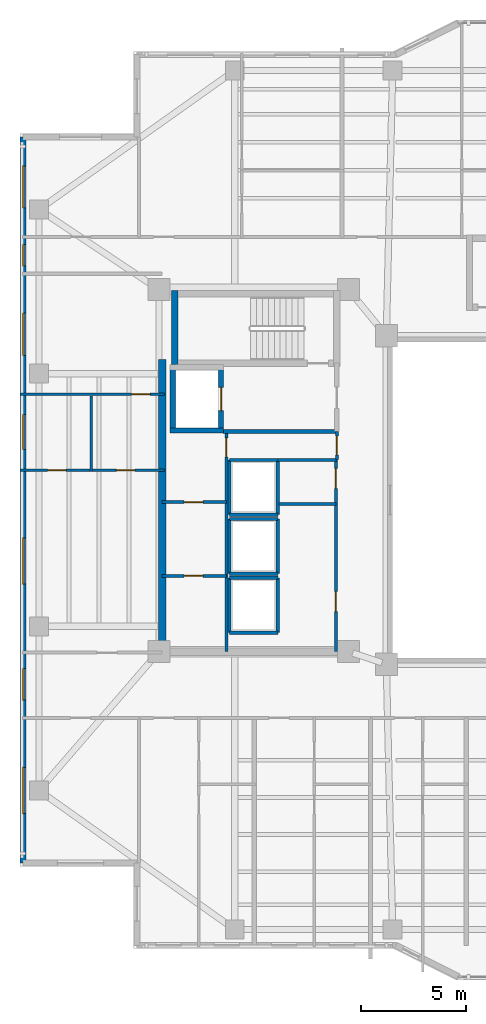
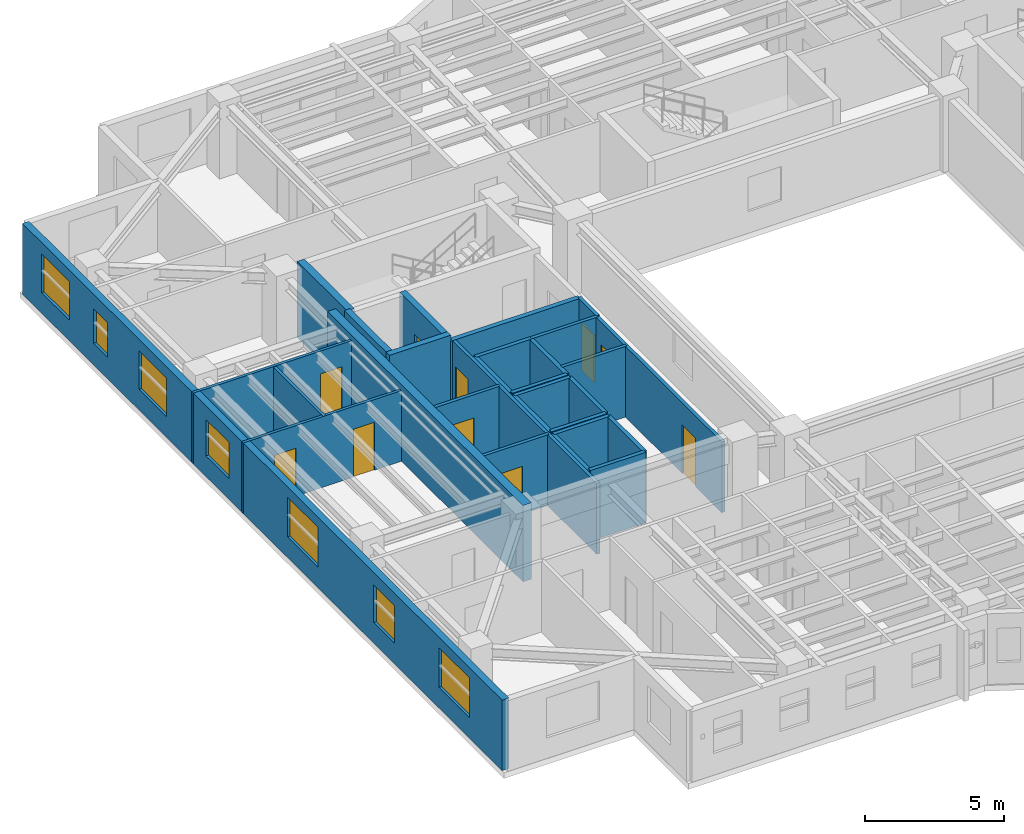
# One storey, part 7 of 16: 29 walls, 10 doors, 7 windows, 17 openings.
"""IFC4 building model written with IfcOpenShell, lengths in metres."""

import ifcopenshell
import ifcopenshell.guid

model = None  # the IFC model being written
_history = None  # IfcOwnerHistory: only IFC2X3 demands one
_inside = {}  # id of a spatial element -> (the spatial element, [elements in it])
_under = {}  # id of a project, library or spatial element -> (it, [spatial elements below it])
_declared = {}  # id of a project -> (the project, [libraries it declares])
_typed = {}  # id of a type object -> (the type object, [elements of that type])
_made_of = {}  # id of a material, layer set ... -> (it, [elements and type objects made of it])


def new_model(schema):
    """Start an empty IFC model of exactly this schema.

    Asked for "IFC4X3", IfcOpenShell would pick the latest addendum, in which some entities
    have other attributes; the version numbers below select the first issue.
    IFC2X3 requires an IfcOwnerHistory on every rooted entity: one is made here for all.
    """
    global model, _history
    if schema == "IFC4X3":
        model = ifcopenshell.file(schema_version=(4, 3, 0, 0))
    else:
        model = ifcopenshell.file(schema=schema)
    _inside.clear()
    _under.clear()
    _declared.clear()
    _typed.clear()
    _made_of.clear()
    _history = None
    if model.schema == "IFC2X3":
        org = make("IfcOrganization", Name="unknown")
        user = make(
            "IfcPersonAndOrganization",
            ThePerson=make("IfcPerson", FamilyName="unknown"),
            TheOrganization=org,
        )
        app = make(
            "IfcApplication",
            ApplicationDeveloper=org,
            Version="unknown",
            ApplicationFullName="unknown",
            ApplicationIdentifier="unknown",
        )
        _history = make(
            "IfcOwnerHistory",
            OwningUser=user,
            OwningApplication=app,
            ChangeAction="ADDED",
            CreationDate=0,
        )
    return model


def make(cls, **values):
    """One entity of the class cls with the attributes given. An attribute that is None is left unset."""
    return model.create_entity(
        cls, **{name: value for name, value in values.items() if value is not None}
    )


def rooted(cls, **values):
    """An entity with a GlobalId (a new one), such as an element, a storey or a relation."""
    return make(cls, GlobalId=ifcopenshell.guid.new(), OwnerHistory=_history, **values)


def si_unit(unit_type, name, prefix=None):
    """IfcSIUnit, for example si_unit("LENGTHUNIT", "METRE", prefix="MILLI")."""
    return make("IfcSIUnit", UnitType=unit_type, Prefix=prefix, Name=name)


def assignment(units):
    """IfcUnitAssignment: the units of a project."""
    return None if units is None else make("IfcUnitAssignment", Units=units)


def point(xyz):
    """IfcCartesianPoint."""
    return None if xyz is None else make("IfcCartesianPoint", Coordinates=xyz)


def direction(xyz):
    """IfcDirection."""
    return None if xyz is None else make("IfcDirection", DirectionRatios=xyz)


def frame(location, z_axis=None, x_axis=None):
    """IfcAxis2Placement3D, a coordinate frame: its origin and axes. An axis left out is left unset."""
    return make(
        "IfcAxis2Placement3D",
        Location=point(location),
        Axis=direction(z_axis),
        RefDirection=direction(x_axis),
    )


def frame_2d(location, x_axis=None):
    """IfcAxis2Placement2D, a coordinate frame in the plane: its origin and x axis."""
    return make(
        "IfcAxis2Placement2D", Location=point(location), RefDirection=direction(x_axis)
    )


def origin():
    """The frame at (0, 0, 0) with its axes left unset."""
    return frame((0.0, 0.0, 0.0))


def place(relative_to, where):
    """IfcLocalPlacement: puts the frame where relative to a parent placement (None: the world)."""
    return make(
        "IfcLocalPlacement", PlacementRelTo=relative_to, RelativePlacement=where
    )


def context(
    kind, dimensions, precision=None, world=None, true_north=None, identifier=None
):
    """IfcGeometricRepresentationContext, for example the 3D "Model" context."""
    return make(
        "IfcGeometricRepresentationContext",
        ContextIdentifier=identifier,
        ContextType=kind,
        CoordinateSpaceDimension=dimensions,
        Precision=precision,
        WorldCoordinateSystem=world,
        TrueNorth=true_north,
    )


def subcontext(parent, identifier, kind, view, scale=None):
    """IfcGeometricRepresentationSubContext, for example "Body" below "Model"."""
    return make(
        "IfcGeometricRepresentationSubContext",
        ContextIdentifier=identifier,
        ContextType=kind,
        ParentContext=parent,
        TargetScale=scale,
        TargetView=view,
    )


def project(units=None, contexts=None):
    """IfcProject with its units and contexts."""
    return rooted(
        "IfcProject",
        Name="project",
        RepresentationContexts=contexts,
        UnitsInContext=assignment(units),
    )


def spatial(cls, under=None, at=None, **own):
    """A site, building, storey or space (cls), placed at a placement, below another one or the project."""
    s = rooted(cls, ObjectPlacement=at, **own)
    if under is not None:
        _under.setdefault(under.id(), (under, []))[1].append(s)
    return s


def profile(cls, at=None, kind="AREA", **sizes):
    """A parametric profile (cls). Its sizes go by their IFC names, for example OverallWidth=200.0."""
    return make(cls, ProfileType=kind, Position=at, **sizes)


def rectangle(**sizes):
    """IfcRectangleProfileDef."""
    return profile("IfcRectangleProfileDef", **sizes)


def extrude(swept, where, along, depth):
    """IfcExtrudedAreaSolid: the profile swept, set in the frame where, extruded along a direction by depth."""
    return make(
        "IfcExtrudedAreaSolid",
        SweptArea=swept,
        Position=where,
        ExtrudedDirection=direction(along),
        Depth=depth,
    )


def shape(context_of_items, identifier, shape_type, items):
    """IfcShapeRepresentation: the items that make up one representation, for example the "Body"."""
    return make(
        "IfcShapeRepresentation",
        ContextOfItems=context_of_items,
        RepresentationIdentifier=identifier,
        RepresentationType=shape_type,
        Items=items,
    )


def material(Name=None, Category=None):
    """IfcMaterial."""
    return make("IfcMaterial", Name=Name, Category=Category)


def layer(
    of_material, thickness, ventilated=None, Name=None, Category=None, Priority=None
):
    """IfcMaterialLayer: one layer of a wall or slab, of a material (None: an air gap)."""
    return make(
        "IfcMaterialLayer",
        Material=of_material,
        LayerThickness=thickness,
        IsVentilated=ventilated,
        Name=Name,
        Category=Category,
        Priority=Priority,
    )


def layer_set(layers, Name=None):
    """IfcMaterialLayerSet."""
    return make("IfcMaterialLayerSet", MaterialLayers=layers, LayerSetName=Name)


def made_of(thing, what):
    """Note that an element or type object is made of a material, layer set ...; save() writes the relation."""
    if what is not None:
        _made_of.setdefault(what.id(), (what, []))[1].append(thing)
    return thing


def type_object(cls, material=None, **own):
    """A type object (cls), such as IfcWallType, which elements share."""
    return made_of(rooted(cls, **own), material)


def element(
    cls,
    number,
    at=None,
    inside=None,
    cuts=None,
    type_object=None,
    material=None,
    context=None,
    identifier="Body",
    shape_type=None,
    held_by="IfcProductDefinitionShape",
    body=None,
    shapes=None,
    **own,
):
    """One element of the class cls, such as IfcWall. Its Tag is "e" and its number.

    at: its placement. inside: the storey or other place that contains it. cuts: it is an
    opening in that element (IfcRelVoidsElement). A single representation is given by context,
    identifier, shape_type and body (its items); several are given by shapes. held_by: the class
    of the entity that holds the representations. save() writes the other relations.
    """
    e = rooted(cls, Tag="e%d" % number, ObjectPlacement=at, **own)
    if body is not None:
        shapes = [shape(context, identifier, shape_type, body)]
    if shapes is not None:
        e.Representation = make(held_by, Representations=shapes)
    if inside is not None:
        _inside.setdefault(inside.id(), (inside, []))[1].append(e)
    if cuts is not None:
        rooted(
            "IfcRelVoidsElement", RelatingBuildingElement=cuts, RelatedOpeningElement=e
        )
    if type_object is not None:
        _typed.setdefault(type_object.id(), (type_object, []))[1].append(e)
    return made_of(e, material)


def fill(opening, filler):
    """IfcRelFillsElement: the door or window that sits in an opening."""
    return rooted(
        "IfcRelFillsElement",
        RelatingOpeningElement=opening,
        RelatedBuildingElement=filler,
    )


def aggregate(whole, parts):
    """IfcRelAggregates: a whole, such as a stair, and the parts it consists of."""
    return rooted("IfcRelAggregates", RelatingObject=whole, RelatedObjects=parts)


def save(model, path):
    """Write the relations noted so far, then the file.

    IfcRelAggregates (storeys below a building ...), IfcRelContainedInSpatialStructure (elements
    in a storey), IfcRelDefinesByType, IfcRelAssociatesMaterial and IfcRelDeclares: one each for
    every whole, place, type object, material and project.
    """
    for whole, parts in _under.values():
        aggregate(whole, parts)
    for where, things in _inside.values():
        rooted(
            "IfcRelContainedInSpatialStructure",
            RelatedElements=things,
            RelatingStructure=where,
        )
    for kind, things in _typed.values():
        rooted("IfcRelDefinesByType", RelatedObjects=things, RelatingType=kind)
    for what, things in _made_of.values():
        rooted("IfcRelAssociatesMaterial", RelatedObjects=things, RelatingMaterial=what)
    for by, libraries in _declared.values():
        rooted("IfcRelDeclares", RelatingContext=by, RelatedDefinitions=libraries)
    model.write(path)


model = new_model("IFC4")

# Units and contexts
model_context = context("Model", 3, precision=1e-05, world=origin(), true_north=direction((0.0, 1.0)))
body_context = subcontext(model_context, "Body", "Model", "MODEL_VIEW")
ifc_project = project(units=[si_unit("LENGTHUNIT", "METRE"), si_unit("AREAUNIT", "SQUARE_METRE"), si_unit("VOLUMEUNIT", "CUBIC_METRE"), si_unit("PLANEANGLEUNIT", "RADIAN"), si_unit("MASSUNIT", "GRAM", prefix="KILO")], contexts=[model_context])

# Site, building, storey
site_placement = place(None, origin())
site = spatial("IfcSite", under=ifc_project, at=site_placement, CompositionType="ELEMENT")
building_placement = place(site_placement, origin())
building = spatial("IfcBuilding", under=site, at=building_placement, Name="Tarnavaz Court Tower", CompositionType="ELEMENT")
storey_placement = place(building_placement, frame((0.0, 0.0, 135.949951171875)))
storey = spatial("IfcBuildingStorey", under=building, at=storey_placement, Name="L36", CompositionType="ELEMENT", Elevation=135.949951171875)

# Wall
ifc_material_1 = material(Name="Concrete C50/60", Category="concrete")
ifc_layer_1 = layer(ifc_material_1, 0.25)
ifc_layer_set_1 = layer_set([ifc_layer_1], Name="Concrete C50/60")
wall_type_1 = type_object("IfcWallType", Name="WL-CORE-250-C50", PredefinedType="SHEAR", material=ifc_layer_set_1)
wall_1_placement = place(storey_placement, frame((-17.949951171875, 3.175048828125, 0.0), z_axis=(0.0, 0.0, 1.0), x_axis=(0.0, 1.0, 0.0)))
element("IfcWall", 1, at=wall_1_placement, inside=storey, type_object=wall_type_1, Name="L36 Lift FL-W1 Shaft Wall 017", PredefinedType="SHEAR", context=body_context, shape_type="SweptSolid", body=[
    extrude(rectangle(XDim=3.25, YDim=0.25, at=frame_2d((1.625, 0.0))), origin(), (0.0, 0.0, 1.0), 3.35009765625),
])

# Wall, opening, door
wall_2_placement = place(storey_placement, frame((-15.64990234375, 3.175048828125, 0.0), z_axis=(0.0, 0.0, 1.0), x_axis=(0.0, 1.0, 0.0)))
wall_2 = element("IfcWall", 2, at=wall_2_placement, inside=storey, type_object=wall_type_1, Name="L36 Lift FL-W1 Shaft Wall 018", PredefinedType="SHEAR", context=body_context, shape_type="SweptSolid", body=[
    extrude(rectangle(XDim=3.25, YDim=0.25, at=frame_2d((1.625, 0.0))), origin(), (0.0, 0.0, 1.0), 3.35009765625),
])
opening_1_placement = place(wall_2_placement, frame((1.074951171875, 0.0, 0.0)))
opening_1 = element("IfcOpeningElement", 3, at=opening_1_placement, cuts=wall_2, Name="Opening LD1", PredefinedType="OPENING", context=body_context, shape_type="SweptSolid", body=[
    extrude(rectangle(XDim=1.10009765625, YDim=2.14990234375, at=frame_2d((0.550048828125, 1.074951171875))), frame((0.0, 0.135009765625, 0.0), z_axis=(0.0, -1.0, 0.0), x_axis=(1.0, 0.0, 0.0)), (0.0, 0.0, 1.0), 0.27001953125),
])
ifc_material_2 = material(Name="Stainless Steel", Category="steel")
door_type_1 = type_object("IfcDoorType", Name="DR-LD-1100", OperationType="NOTDEFINED", PredefinedType="DOOR", material=ifc_material_2)
door_1_placement = place(opening_1_placement, origin())
door_1 = element("IfcDoor", 4, at=door_1_placement, inside=storey, type_object=door_type_1, Name="L36 Lift Landing Door LD-FL-W1", OperationType="SLIDING_TO_LEFT", OverallHeight=2.14990234375, OverallWidth=1.10009765625, PredefinedType="DOOR", context=body_context, shape_type="SweptSolid", body=[
    extrude(rectangle(XDim=1.10009765625, YDim=2.14990234375, at=frame_2d((0.550048828125, 1.074951171875))), frame((0.0, 0.02490234375, 0.0), z_axis=(0.0, -1.0, 0.0), x_axis=(1.0, 0.0, 0.0)), (0.0, 0.0, 1.0), 0.050048828125),
])
fill(opening_1, door_1)

# Walls
wall_3_placement = place(storey_placement, frame((-18.074951171875, 3.300048828125, 0.0), z_axis=(0.0, 0.0, 1.0), x_axis=(1.0, 0.0, 0.0)))
element("IfcWall", 5, at=wall_3_placement, inside=storey, type_object=wall_type_1, Name="L36 Lift FL-W1 Shaft Wall 019", PredefinedType="SHEAR", context=body_context, shape_type="SweptSolid", body=[
    extrude(rectangle(XDim=2.550048828125, YDim=0.25, at=frame_2d((1.27490234375, 0.0))), origin(), (0.0, 0.0, 1.0), 3.35009765625),
])
ifc_layer_2 = layer(ifc_material_1, 0.300048828125)
ifc_layer_set_2 = layer_set([ifc_layer_2], Name="Concrete C50/60")
wall_type_2 = type_object("IfcWallType", Name="WL-CORE-300-C50", PredefinedType="SHEAR", material=ifc_layer_set_2)
wall_4_placement = place(storey_placement, frame((-17.85009765625, 6.35009765625, 0.0), z_axis=(0.0, 0.0, 1.0), x_axis=(0.0, 1.0, 0.0)))
element("IfcWall", 6, at=wall_4_placement, inside=storey, type_object=wall_type_2, Name="L36 West Stair Core Wall 003", PredefinedType="SHEAR", context=body_context, shape_type="SweptSolid", body=[
    extrude(rectangle(XDim=3.58984375, YDim=0.300048828125, at=frame_2d((1.794921875, 0.0))), origin(), (0.0, 0.0, 1.0), 3.35009765625),
])
ifc_layer_3 = layer(ifc_material_1, 0.35009765625)
ifc_layer_set_3 = layer_set([ifc_layer_3], Name="Concrete C50/60")
wall_type_3 = type_object("IfcWallType", Name="WL-CORE-350-C50", PredefinedType="SHEAR", material=ifc_layer_set_3)
wall_5_placement = place(storey_placement, frame((-18.449951171875, -7.375, 0.0), z_axis=(0.0, 0.0, 1.0), x_axis=(0.0, 1.0, 0.0)))
element("IfcWall", 7, at=wall_5_placement, inside=storey, type_object=wall_type_3, Name="L36 West Core Shear Wall 057", PredefinedType="SHEAR", context=body_context, shape_type="SweptSolid", body=[
    extrude(rectangle(XDim=14.050048828125, YDim=0.35009765625, at=frame_2d((7.02490234375, 0.0))), origin(), (0.0, 0.0, 1.0), 3.35009765625),
])

# Wall, openings, windows
ifc_material_3 = material(Name="Precast Concrete C40/50", Category="concrete")
ifc_layer_4 = layer(ifc_material_3, 0.280029296875)
ifc_layer_set_4 = layer_set([ifc_layer_4], Name="Precast Concrete C40/50")
wall_type_4 = type_object("IfcWallType", Name="WL-EXT-280", PredefinedType="SOLIDWALL", material=ifc_layer_set_4)
wall_6_placement = place(storey_placement, frame((-25.050048828125, -17.25, 0.0), z_axis=(0.0, 0.0, 1.0), x_axis=(0.0, 1.0, 0.0)))
wall_6 = element("IfcWall", 8, at=wall_6_placement, inside=storey, type_object=wall_type_4, Name="L36 Exterior Terracotta Facade Wall 02", PredefinedType="SOLIDWALL", context=body_context, shape_type="SweptSolid", body=[
    extrude(rectangle(XDim=34.5, YDim=0.280029296875, at=frame_2d((17.25, 0.0))), origin(), (0.0, 0.0, 1.0), 3.10009765625),
])
opening_2_placement = place(wall_6_placement, frame((2.35009765625, 0.0, 0.89990234375)))
opening_2 = element("IfcOpeningElement", 9, at=opening_2_placement, cuts=wall_6, Name="Opening W07", PredefinedType="OPENING", context=body_context, shape_type="SweptSolid", body=[
    extrude(rectangle(XDim=2.199951171875, YDim=1.75, at=frame_2d((1.10009765625, 0.875))), frame((0.0, 0.14990234375, 0.0), z_axis=(0.0, -1.0, 0.0), x_axis=(1.0, 0.0, 0.0)), (0.0, 0.0, 1.0), 0.300048828125),
])
opening_3_placement = place(wall_6_placement, frame((7.742431640625, 0.0, 0.89990234375)))
opening_3 = element("IfcOpeningElement", 10, at=opening_3_placement, cuts=wall_6, Name="Opening W03", PredefinedType="OPENING", context=body_context, shape_type="SweptSolid", body=[
    extrude(rectangle(XDim=1.5, YDim=1.64990234375, at=frame_2d((0.75, 0.824951171875))), frame((0.0, 0.14990234375, 0.0), z_axis=(0.0, -1.0, 0.0), x_axis=(1.0, 0.0, 0.0)), (0.0, 0.0, 1.0), 0.300048828125),
])
opening_4_placement = place(wall_6_placement, frame((13.25, 0.0, 0.89990234375)))
opening_4 = element("IfcOpeningElement", 11, at=opening_4_placement, cuts=wall_6, Name="Opening W07", PredefinedType="OPENING", context=body_context, shape_type="SweptSolid", body=[
    extrude(rectangle(XDim=2.199951171875, YDim=1.75, at=frame_2d((1.10009765625, 0.875))), frame((0.0, 0.14990234375, 0.0), z_axis=(0.0, -1.0, 0.0), x_axis=(1.0, 0.0, 0.0)), (0.0, 0.0, 1.0), 0.300048828125),
])
opening_5_placement = place(wall_6_placement, frame((19.64990234375, 0.0, 0.89990234375)))
opening_5 = element("IfcOpeningElement", 12, at=opening_5_placement, cuts=wall_6, Name="Opening W02", PredefinedType="OPENING", context=body_context, shape_type="SweptSolid", body=[
    extrude(rectangle(XDim=1.64990234375, YDim=1.60009765625, at=frame_2d((0.824951171875, 0.800048828125))), frame((0.0, 0.14990234375, 0.0), z_axis=(0.0, -1.0, 0.0), x_axis=(1.0, 0.0, 0.0)), (0.0, 0.0, 1.0), 0.300048828125),
])
opening_6_placement = place(wall_6_placement, frame((24.125, 0.0, 0.89990234375)))
opening_6 = element("IfcOpeningElement", 13, at=opening_6_placement, cuts=wall_6, Name="Opening W08", PredefinedType="OPENING", context=body_context, shape_type="SweptSolid", body=[
    extrude(rectangle(XDim=2.0, YDim=1.699951171875, at=frame_2d((1.0, 0.85009765625))), frame((0.0, 0.14990234375, 0.0), z_axis=(0.0, -1.0, 0.0), x_axis=(1.0, 0.0, 0.0)), (0.0, 0.0, 1.0), 0.300048828125),
])
opening_7_placement = place(wall_6_placement, frame((28.375, 0.0, 0.949951171875)))
opening_7 = element("IfcOpeningElement", 14, at=opening_7_placement, cuts=wall_6, Name="Opening W14", PredefinedType="OPENING", context=body_context, shape_type="SweptSolid", body=[
    extrude(rectangle(XDim=1.0, YDim=1.5, at=frame_2d((0.5, 0.75))), frame((0.0, 0.14990234375, 0.0), z_axis=(0.0, -1.0, 0.0), x_axis=(1.0, 0.0, 0.0)), (0.0, 0.0, 1.0), 0.300048828125),
])
opening_8_placement = place(wall_6_placement, frame((31.125, 0.0, 0.89990234375)))
opening_8 = element("IfcOpeningElement", 15, at=opening_8_placement, cuts=wall_6, Name="Opening W08", PredefinedType="OPENING", context=body_context, shape_type="SweptSolid", body=[
    extrude(rectangle(XDim=2.0, YDim=1.699951171875, at=frame_2d((1.0, 0.85009765625))), frame((0.0, 0.14990234375, 0.0), z_axis=(0.0, -1.0, 0.0), x_axis=(1.0, 0.0, 0.0)), (0.0, 0.0, 1.0), 0.300048828125),
])
ifc_material_4 = material(Name="Double-Glazed Solar Low-E Glass", Category="glass")
window_type_1 = type_object("IfcWindowType", Name="WN-APT-1000", PartitioningType="SINGLE_PANEL", PredefinedType="WINDOW", material=ifc_material_4)
window_1_placement = place(opening_7_placement, origin())
window_1 = element("IfcWindow", 16, at=window_1_placement, inside=storey, type_object=window_type_1, Name="L36 North-West Corner Corridor Window", OverallHeight=1.5, OverallWidth=1.0, PartitioningType="SINGLE_PANEL", PredefinedType="WINDOW", context=body_context, shape_type="SweptSolid", body=[
    extrude(rectangle(XDim=1.0, YDim=1.5, at=frame_2d((0.5, 0.75))), frame((0.0, 0.030029296875, 0.0), z_axis=(0.0, -1.0, 0.0), x_axis=(1.0, 0.0, 0.0)), (0.0, 0.0, 1.0), 0.06005859375),
])
fill(opening_7, window_1)
window_type_2 = type_object("IfcWindowType", Name="WN-APT-1500", PartitioningType="DOUBLE_PANEL_VERTICAL", PredefinedType="WINDOW", material=ifc_material_4)
window_2_placement = place(opening_3_placement, origin())
window_2 = element("IfcWindow", 17, at=window_2_placement, inside=storey, type_object=window_type_2, Name="L36 South-West Corner Corridor Window", OverallHeight=1.64990234375, OverallWidth=1.5, PartitioningType="SINGLE_PANEL", PredefinedType="WINDOW", context=body_context, shape_type="SweptSolid", body=[
    extrude(rectangle(XDim=1.5, YDim=1.64990234375, at=frame_2d((0.75, 0.824951171875))), frame((0.0, 0.030029296875, 0.0), z_axis=(0.0, -1.0, 0.0), x_axis=(1.0, 0.0, 0.0)), (0.0, 0.0, 1.0), 0.06005859375),
])
fill(opening_3, window_2)
window_type_3 = type_object("IfcWindowType", Name="WN-APT-1650", PartitioningType="DOUBLE_PANEL_VERTICAL", PredefinedType="WINDOW", material=ifc_material_4)
window_3_placement = place(opening_5_placement, origin())
window_3 = element("IfcWindow", 18, at=window_3_placement, inside=storey, type_object=window_type_3, Name="L36 Flat 11 Kitchen Window", OverallHeight=1.60009765625, OverallWidth=1.64990234375, PartitioningType="SINGLE_PANEL", PredefinedType="WINDOW", context=body_context, shape_type="SweptSolid", body=[
    extrude(rectangle(XDim=1.64990234375, YDim=1.60009765625, at=frame_2d((0.824951171875, 0.800048828125))), frame((0.0, 0.030029296875, 0.0), z_axis=(0.0, -1.0, 0.0), x_axis=(1.0, 0.0, 0.0)), (0.0, 0.0, 1.0), 0.06005859375),
])
fill(opening_5, window_3)
window_type_4 = type_object("IfcWindowType", Name="WN-APT-2000", PartitioningType="DOUBLE_PANEL_VERTICAL", PredefinedType="WINDOW", material=ifc_material_4)
window_4_placement = place(opening_6_placement, origin())
window_4 = element("IfcWindow", 19, at=window_4_placement, inside=storey, type_object=window_type_4, Name="L36 Flat 11 Study Room Window", OverallHeight=1.699951171875, OverallWidth=2.0, PartitioningType="SINGLE_PANEL", PredefinedType="WINDOW", context=body_context, shape_type="SweptSolid", body=[
    extrude(rectangle(XDim=2.0, YDim=1.699951171875, at=frame_2d((1.0, 0.85009765625))), frame((0.0, 0.030029296875, 0.0), z_axis=(0.0, -1.0, 0.0), x_axis=(1.0, 0.0, 0.0)), (0.0, 0.0, 1.0), 0.06005859375),
])
fill(opening_6, window_4)
window_5_placement = place(opening_8_placement, origin())
window_5 = element("IfcWindow", 20, at=window_5_placement, inside=storey, type_object=window_type_4, Name="L36 North-West Corner Sunroom Study Window", OverallHeight=1.699951171875, OverallWidth=2.0, PartitioningType="SINGLE_PANEL", PredefinedType="WINDOW", context=body_context, shape_type="SweptSolid", body=[
    extrude(rectangle(XDim=2.0, YDim=1.699951171875, at=frame_2d((1.0, 0.85009765625))), frame((0.0, 0.030029296875, 0.0), z_axis=(0.0, -1.0, 0.0), x_axis=(1.0, 0.0, 0.0)), (0.0, 0.0, 1.0), 0.06005859375),
])
fill(opening_8, window_5)
window_type_5 = type_object("IfcWindowType", Name="WN-APT-2200", PartitioningType="TRIPLE_PANEL_VERTICAL", PredefinedType="WINDOW", material=ifc_material_4)
window_6_placement = place(opening_2_placement, origin())
window_6 = element("IfcWindow", 21, at=window_6_placement, inside=storey, type_object=window_type_5, Name="L36 South-West Corner Reading Room Window", OverallHeight=1.75, OverallWidth=2.199951171875, PartitioningType="SINGLE_PANEL", PredefinedType="WINDOW", context=body_context, shape_type="SweptSolid", body=[
    extrude(rectangle(XDim=2.199951171875, YDim=1.75, at=frame_2d((1.10009765625, 0.875))), frame((0.0, 0.030029296875, 0.0), z_axis=(0.0, -1.0, 0.0), x_axis=(1.0, 0.0, 0.0)), (0.0, 0.0, 1.0), 0.06005859375),
])
fill(opening_2, window_6)
window_7_placement = place(opening_4_placement, origin())
window_7 = element("IfcWindow", 22, at=window_7_placement, inside=storey, type_object=window_type_5, Name="L36 Flat 11 Studio Living and Sleeping Room Window", OverallHeight=1.75, OverallWidth=2.199951171875, PartitioningType="SINGLE_PANEL", PredefinedType="WINDOW", context=body_context, shape_type="SweptSolid", body=[
    extrude(rectangle(XDim=2.199951171875, YDim=1.75, at=frame_2d((1.10009765625, 0.875))), frame((0.0, 0.030029296875, 0.0), z_axis=(0.0, -1.0, 0.0), x_axis=(1.0, 0.0, 0.0)), (0.0, 0.0, 1.0), 0.06005859375),
])
fill(opening_4, window_7)

# Wall
ifc_material_5 = material(Name="Autoclaved Aerated Concrete Blockwork", Category="masonry")
ifc_layer_5 = layer(ifc_material_5, 0.199951171875)
ifc_layer_set_5 = layer_set([ifc_layer_5], Name="Autoclaved Aerated Concrete Blockwork")
wall_type_5 = type_object("IfcWallType", Name="WL-FIRE-200", PredefinedType="SOLIDWALL", material=ifc_layer_set_5)
wall_7_placement = place(storey_placement, frame((-15.550048828125, 3.25, 0.0), z_axis=(0.0, 0.0, 1.0), x_axis=(1.0, 0.0, 0.0)))
element("IfcWall", 23, at=wall_7_placement, inside=storey, type_object=wall_type_5, Name="L36 West Firefighting Lobby Wall 013", PredefinedType="SOLIDWALL", context=body_context, shape_type="SweptSolid", body=[
    extrude(rectangle(XDim=5.400146484375, YDim=0.199951171875, at=frame_2d((2.7001953125, 0.0))), origin(), (0.0, 0.0, 1.0), 3.10009765625),
])

# Wall, openings, doors
ifc_material_6 = material(Name="Moisture-Resistant Gypsum Board Partition", Category="masonry")
ifc_layer_6 = layer(ifc_material_6, 0.1201171875)
ifc_layer_set_6 = layer_set([ifc_layer_6], Name="Moisture-Resistant Gypsum Board Partition")
wall_type_6 = type_object("IfcWallType", Name="WL-PART-120", PredefinedType="PARTITIONING", material=ifc_layer_set_6)
wall_8_placement = place(storey_placement, frame((-25.199951171875, 1.419921875, 0.0), z_axis=(0.0, 0.0, 1.0), x_axis=(1.0, 0.0, 0.0)))
wall_8 = element("IfcWall", 24, at=wall_8_placement, inside=storey, type_object=wall_type_6, Name="L36 Interior Partition 127", PredefinedType="PARTITIONING", context=body_context, shape_type="SweptSolid", body=[
    extrude(rectangle(XDim=6.869873046875, YDim=0.1201171875, at=frame_2d((3.43505859375, 0.0))), origin(), (0.0, 0.0, 1.0), 3.10009765625),
])
opening_9_placement = place(wall_8_placement, frame((1.31201171875, 0.0, 0.0)))
opening_9 = element("IfcOpeningElement", 25, at=opening_9_placement, cuts=wall_8, Name="Opening D14", PredefinedType="OPENING", context=body_context, shape_type="SweptSolid", body=[
    extrude(rectangle(XDim=0.8798828125, YDim=2.10009765625, at=frame_2d((0.43994140625, 1.050048828125))), frame((0.0, 0.070068359375, 0.0), z_axis=(0.0, -1.0, 0.0), x_axis=(1.0, 0.0, 0.0)), (0.0, 0.0, 1.0), 0.14013671875),
])
opening_10_placement = place(wall_8_placement, frame((4.576904296875, 0.0, 0.0)))
opening_10 = element("IfcOpeningElement", 26, at=opening_10_placement, cuts=wall_8, Name="Opening D14", PredefinedType="OPENING", context=body_context, shape_type="SweptSolid", body=[
    extrude(rectangle(XDim=0.8798828125, YDim=2.10009765625, at=frame_2d((0.43994140625, 1.050048828125))), frame((0.0, 0.070068359375, 0.0), z_axis=(0.0, -1.0, 0.0), x_axis=(1.0, 0.0, 0.0)), (0.0, 0.0, 1.0), 0.14013671875),
])
ifc_material_7 = material(Name="Engineered Oak Timber", Category="wood")
door_type_2 = type_object("IfcDoorType", Name="DR-INT-900", OperationType="NOTDEFINED", PredefinedType="DOOR", material=ifc_material_7)
door_2_placement = place(opening_9_placement, origin())
door_2 = element("IfcDoor", 27, at=door_2_placement, inside=storey, type_object=door_type_2, Name="L36 Flat 11 Kitchen Door", OperationType="SINGLE_SWING_LEFT", OverallHeight=2.10009765625, OverallWidth=0.8798828125, PredefinedType="DOOR", context=body_context, shape_type="SweptSolid", body=[
    extrude(rectangle(XDim=0.8798828125, YDim=2.10009765625, at=frame_2d((0.43994140625, 1.050048828125))), frame((0.0, 0.02490234375, 0.0), z_axis=(0.0, -1.0, 0.0), x_axis=(1.0, 0.0, 0.0)), (0.0, 0.0, 1.0), 0.050048828125),
])
fill(opening_9, door_2)
door_3_placement = place(opening_10_placement, origin())
door_3 = element("IfcDoor", 28, at=door_3_placement, inside=storey, type_object=door_type_2, Name="L36 Flat 11 Bathroom Door", OperationType="SINGLE_SWING_RIGHT", OverallHeight=2.10009765625, OverallWidth=0.8798828125, PredefinedType="DOOR", context=body_context, shape_type="SweptSolid", body=[
    extrude(rectangle(XDim=0.8798828125, YDim=2.10009765625, at=frame_2d((0.43994140625, 1.050048828125))), frame((0.0, 0.02490234375, 0.0), z_axis=(0.0, -1.0, 0.0), x_axis=(1.0, 0.0, 0.0)), (0.0, 0.0, 1.0), 0.050048828125),
])
fill(opening_10, door_3)

# Wall, opening, door
wall_9_placement = place(storey_placement, frame((-25.199951171875, 5.02001953125, 0.0), z_axis=(0.0, 0.0, 1.0), x_axis=(1.0, 0.0, 0.0)))
wall_9 = element("IfcWall", 29, at=wall_9_placement, inside=storey, type_object=wall_type_6, Name="L36 Interior Partition 128", PredefinedType="PARTITIONING", context=body_context, shape_type="SweptSolid", body=[
    extrude(rectangle(XDim=6.869873046875, YDim=0.1201171875, at=frame_2d((3.43505859375, 0.0))), origin(), (0.0, 0.0, 1.0), 3.10009765625),
])
opening_11_placement = place(wall_9_placement, frame((5.300048828125, 0.0, 0.0)))
opening_11 = element("IfcOpeningElement", 30, at=opening_11_placement, cuts=wall_9, Name="Opening D14", PredefinedType="OPENING", context=body_context, shape_type="SweptSolid", body=[
    extrude(rectangle(XDim=0.8798828125, YDim=2.10009765625, at=frame_2d((0.43994140625, 1.050048828125))), frame((0.0, 0.070068359375, 0.0), z_axis=(0.0, -1.0, 0.0), x_axis=(1.0, 0.0, 0.0)), (0.0, 0.0, 1.0), 0.14013671875),
])
door_4_placement = place(opening_11_placement, origin())
door_4 = element("IfcDoor", 31, at=door_4_placement, inside=storey, type_object=door_type_2, Name="L36 Flat 11 Study Door", OperationType="SINGLE_SWING_LEFT", OverallHeight=2.10009765625, OverallWidth=0.8798828125, PredefinedType="DOOR", context=body_context, shape_type="SweptSolid", body=[
    extrude(rectangle(XDim=0.8798828125, YDim=2.10009765625, at=frame_2d((0.43994140625, 1.050048828125))), frame((0.0, 0.02490234375, 0.0), z_axis=(0.0, -1.0, 0.0), x_axis=(1.0, 0.0, 0.0)), (0.0, 0.0, 1.0), 0.050048828125),
])
fill(opening_11, door_4)

# Walls
wall_10_placement = place(storey_placement, frame((-21.81494140625, 1.360107421875, 0.0), z_axis=(0.0, 0.0, 1.0), x_axis=(0.0, 1.0, 0.0)))
element("IfcWall", 32, at=wall_10_placement, inside=storey, type_object=wall_type_6, Name="L36 Interior Partition 129", PredefinedType="PARTITIONING", context=body_context, shape_type="SweptSolid", body=[
    extrude(rectangle(XDim=3.579833984375, YDim=0.1201171875, at=frame_2d((1.7900390625, 0.0))), origin(), (0.0, 0.0, 1.0), 3.10009765625),
])
ifc_material_8 = material(Name="Gypsum Plasterboard Acoustic Partition", Category="masonry")
ifc_layer_7 = layer(ifc_material_8, 0.139892578125)
ifc_layer_set_7 = layer_set([ifc_layer_7], Name="Gypsum Plasterboard Acoustic Partition")
wall_type_7 = type_object("IfcWallType", Name="WL-PART-150", PredefinedType="PARTITIONING", material=ifc_layer_set_7)
wall_11_placement = place(storey_placement, frame((-12.949951171875, 1.89990234375, 0.0), z_axis=(0.0, 0.0, 1.0), x_axis=(1.0, 0.0, 0.0)))
element("IfcWall", 33, at=wall_11_placement, inside=storey, type_object=wall_type_7, Name="L36 Interior Partition 061", PredefinedType="PARTITIONING", context=body_context, shape_type="SweptSolid", body=[
    extrude(rectangle(XDim=2.800048828125, YDim=0.139892578125, at=frame_2d((1.39990234375, 0.0))), origin(), (0.0, 0.0, 1.0), 3.10009765625),
])

# Wall, opening, door
wall_12_placement = place(storey_placement, frame((-10.14990234375, 1.919921875, 0.0), z_axis=(0.0, 0.0, 1.0), x_axis=(0.0, 1.0, 0.0)))
wall_12 = element("IfcWall", 34, at=wall_12_placement, inside=storey, type_object=wall_type_7, Name="L36 Interior Partition 062", PredefinedType="PARTITIONING", context=body_context, shape_type="SweptSolid", body=[
    extrude(rectangle(XDim=1.330078125, YDim=0.139892578125, at=frame_2d((0.6650390625, 0.0))), origin(), (0.0, 0.0, 1.0), 3.10009765625),
])
opening_12_placement = place(wall_12_placement, frame((0.219970703125, 0.0, 0.0)))
opening_12 = element("IfcOpeningElement", 35, at=opening_12_placement, cuts=wall_12, Name="Opening D09", PredefinedType="OPENING", context=body_context, shape_type="SweptSolid", body=[
    extrude(rectangle(XDim=0.89990234375, YDim=2.080078125, at=frame_2d((0.449951171875, 1.0400390625))), frame((0.0, 0.079833984375, 0.0), z_axis=(0.0, -1.0, 0.0), x_axis=(1.0, 0.0, 0.0)), (0.0, 0.0, 1.0), 0.159912109375),
])
ifc_material_9 = material(Name="Fire-Rated Hardwood Timber Core", Category="wood")
door_type_3 = type_object("IfcDoorType", Name="DR-FD30-900", OperationType="NOTDEFINED", PredefinedType="DOOR", material=ifc_material_9)
door_5_placement = place(opening_12_placement, origin())
door_5 = element("IfcDoor", 36, at=door_5_placement, inside=storey, type_object=door_type_3, Name="L36 West Core Service Lobby Door", OperationType="SINGLE_SWING_LEFT", OverallHeight=2.080078125, OverallWidth=0.89990234375, PredefinedType="DOOR", context=body_context, shape_type="SweptSolid", body=[
    extrude(rectangle(XDim=0.89990234375, YDim=2.080078125, at=frame_2d((0.449951171875, 1.0400390625))), frame((0.0, 0.02490234375, 0.0), z_axis=(0.0, -1.0, 0.0), x_axis=(1.0, 0.0, 0.0)), (0.0, 0.0, 1.0), 0.050048828125),
])
fill(opening_12, door_5)

wall_13_placement = place(storey_placement, frame((-15.39990234375, -7.199951171875, 0.0), z_axis=(0.0, 0.0, 1.0), x_axis=(0.0, 1.0, 0.0)))
wall_13 = element("IfcWall", 37, at=wall_13_placement, inside=storey, type_object=wall_type_7, Name="L36 Interior Partition 063", PredefinedType="PARTITIONING", context=body_context, shape_type="SweptSolid", body=[
    extrude(rectangle(XDim=10.449951171875, YDim=0.139892578125, at=frame_2d((5.22509765625, 0.0))), origin(), (0.0, 0.0, 1.0), 3.10009765625),
])
opening_13_placement = place(wall_13_placement, frame((9.25, 0.0, 0.0)))
opening_13 = element("IfcOpeningElement", 38, at=opening_13_placement, cuts=wall_13, Name="Opening D09", PredefinedType="OPENING", context=body_context, shape_type="SweptSolid", body=[
    extrude(rectangle(XDim=0.89990234375, YDim=2.080078125, at=frame_2d((0.449951171875, 1.0400390625))), frame((0.0, 0.079833984375, 0.0), z_axis=(0.0, -1.0, 0.0), x_axis=(1.0, 0.0, 0.0)), (0.0, 0.0, 1.0), 0.159912109375),
])
door_6_placement = place(opening_13_placement, origin())
door_6 = element("IfcDoor", 39, at=door_6_placement, inside=storey, type_object=door_type_3, Name="L36 West ICT Comms Door", OperationType="SINGLE_SWING_RIGHT", OverallHeight=2.080078125, OverallWidth=0.89990234375, PredefinedType="DOOR", context=body_context, shape_type="SweptSolid", body=[
    extrude(rectangle(XDim=0.89990234375, YDim=2.080078125, at=frame_2d((0.449951171875, 1.0400390625))), frame((0.0, 0.02490234375, 0.0), z_axis=(0.0, -1.0, 0.0), x_axis=(1.0, 0.0, 0.0)), (0.0, 0.0, 1.0), 0.050048828125),
])
fill(opening_13, door_6)

wall_14_placement = place(storey_placement, frame((-18.449951171875, -3.60009765625, 0.0), z_axis=(0.0, 0.0, 1.0), x_axis=(1.0, 0.0, 0.0)))
wall_14 = element("IfcWall", 40, at=wall_14_placement, inside=storey, type_object=wall_type_7, Name="L36 Interior Partition 064", PredefinedType="PARTITIONING", context=body_context, shape_type="SweptSolid", body=[
    extrude(rectangle(XDim=3.050048828125, YDim=0.139892578125, at=frame_2d((1.52490234375, 0.0))), origin(), (0.0, 0.0, 1.0), 3.10009765625),
])
opening_14_placement = place(wall_14_placement, frame((1.050048828125, 0.0, 0.0)))
opening_14 = element("IfcOpeningElement", 41, at=opening_14_placement, cuts=wall_14, Name="Opening D09", PredefinedType="OPENING", context=body_context, shape_type="SweptSolid", body=[
    extrude(rectangle(XDim=0.89990234375, YDim=2.080078125, at=frame_2d((0.449951171875, 1.0400390625))), frame((0.0, 0.079833984375, 0.0), z_axis=(0.0, -1.0, 0.0), x_axis=(1.0, 0.0, 0.0)), (0.0, 0.0, 1.0), 0.159912109375),
])
door_7_placement = place(opening_14_placement, origin())
door_7 = element("IfcDoor", 42, at=door_7_placement, inside=storey, type_object=door_type_3, Name="L36 West Electrical Closet Door", OperationType="SINGLE_SWING_RIGHT", OverallHeight=2.080078125, OverallWidth=0.89990234375, PredefinedType="DOOR", context=body_context, shape_type="SweptSolid", body=[
    extrude(rectangle(XDim=0.89990234375, YDim=2.080078125, at=frame_2d((0.449951171875, 1.0400390625))), frame((0.0, 0.02490234375, 0.0), z_axis=(0.0, -1.0, 0.0), x_axis=(1.0, 0.0, 0.0)), (0.0, 0.0, 1.0), 0.050048828125),
])
fill(opening_14, door_7)

wall_15_placement = place(storey_placement, frame((-18.449951171875, -0.10009765625, 0.0), z_axis=(0.0, 0.0, 1.0), x_axis=(1.0, 0.0, 0.0)))
wall_15 = element("IfcWall", 43, at=wall_15_placement, inside=storey, type_object=wall_type_7, Name="L36 Interior Partition 065", PredefinedType="PARTITIONING", context=body_context, shape_type="SweptSolid", body=[
    extrude(rectangle(XDim=3.050048828125, YDim=0.139892578125, at=frame_2d((1.52490234375, 0.0))), origin(), (0.0, 0.0, 1.0), 3.10009765625),
])
opening_15_placement = place(wall_15_placement, frame((1.050048828125, 0.0, 0.0)))
opening_15 = element("IfcOpeningElement", 44, at=opening_15_placement, cuts=wall_15, Name="Opening D09", PredefinedType="OPENING", context=body_context, shape_type="SweptSolid", body=[
    extrude(rectangle(XDim=0.89990234375, YDim=2.080078125, at=frame_2d((0.449951171875, 1.0400390625))), frame((0.0, 0.079833984375, 0.0), z_axis=(0.0, -1.0, 0.0), x_axis=(1.0, 0.0, 0.0)), (0.0, 0.0, 1.0), 0.159912109375),
])
door_8_placement = place(opening_15_placement, origin())
door_8 = element("IfcDoor", 45, at=door_8_placement, inside=storey, type_object=door_type_3, Name="L36 West Chilled-Water Riser Door", OperationType="SINGLE_SWING_LEFT", OverallHeight=2.080078125, OverallWidth=0.89990234375, PredefinedType="DOOR", context=body_context, shape_type="SweptSolid", body=[
    extrude(rectangle(XDim=0.89990234375, YDim=2.080078125, at=frame_2d((0.449951171875, 1.0400390625))), frame((0.0, 0.02490234375, 0.0), z_axis=(0.0, -1.0, 0.0), x_axis=(1.0, 0.0, 0.0)), (0.0, 0.0, 1.0), 0.050048828125),
])
fill(opening_15, door_8)

# Wall, openings, doors
wall_16_placement = place(storey_placement, frame((-10.199951171875, -7.199951171875, 0.0), z_axis=(0.0, 0.0, 1.0), x_axis=(0.0, 1.0, 0.0)))
wall_16 = element("IfcWall", 46, at=wall_16_placement, inside=storey, type_object=wall_type_7, Name="L36 West Reclaimed Core Wall 066", PredefinedType="PARTITIONING", context=body_context, shape_type="SweptSolid", body=[
    extrude(rectangle(XDim=9.119873046875, YDim=0.139892578125, at=frame_2d((4.56005859375, 0.0))), origin(), (0.0, 0.0, 1.0), 3.10009765625),
])
opening_16_placement = place(wall_16_placement, frame((1.89990234375, 0.0, 0.0)))
opening_16 = element("IfcOpeningElement", 47, at=opening_16_placement, cuts=wall_16, Name="Opening D08", PredefinedType="OPENING", context=body_context, shape_type="SweptSolid", body=[
    extrude(rectangle(XDim=0.949951171875, YDim=2.1201171875, at=frame_2d((0.47509765625, 1.06005859375))), frame((0.0, 0.079833984375, 0.0), z_axis=(0.0, -1.0, 0.0), x_axis=(1.0, 0.0, 0.0)), (0.0, 0.0, 1.0), 0.159912109375),
])
opening_17_placement = place(wall_16_placement, frame((7.75, 0.0, 0.0)))
opening_17 = element("IfcOpeningElement", 48, at=opening_17_placement, cuts=wall_16, Name="Opening D08", PredefinedType="OPENING", context=body_context, shape_type="SweptSolid", body=[
    extrude(rectangle(XDim=0.949951171875, YDim=2.1201171875, at=frame_2d((0.47509765625, 1.06005859375))), frame((0.0, 0.079833984375, 0.0), z_axis=(0.0, -1.0, 0.0), x_axis=(1.0, 0.0, 0.0)), (0.0, 0.0, 1.0), 0.159912109375),
])
door_type_4 = type_object("IfcDoorType", Name="DR-FD30-950", OperationType="NOTDEFINED", PredefinedType="DOOR", material=ifc_material_9)
door_9_placement = place(opening_16_placement, origin())
door_9 = element("IfcDoor", 49, at=door_9_placement, inside=storey, type_object=door_type_4, Name="L36 West Study Room Door", OperationType="SINGLE_SWING_LEFT", OverallHeight=2.1201171875, OverallWidth=0.949951171875, PredefinedType="DOOR", context=body_context, shape_type="SweptSolid", body=[
    extrude(rectangle(XDim=0.949951171875, YDim=2.1201171875, at=frame_2d((0.47509765625, 1.06005859375))), frame((0.0, 0.02490234375, 0.0), z_axis=(0.0, -1.0, 0.0), x_axis=(1.0, 0.0, 0.0)), (0.0, 0.0, 1.0), 0.050048828125),
])
fill(opening_16, door_9)
door_10_placement = place(opening_17_placement, origin())
door_10 = element("IfcDoor", 50, at=door_10_placement, inside=storey, type_object=door_type_4, Name="L36 West Laundry Room Door", OperationType="SINGLE_SWING_RIGHT", OverallHeight=2.1201171875, OverallWidth=0.949951171875, PredefinedType="DOOR", context=body_context, shape_type="SweptSolid", body=[
    extrude(rectangle(XDim=0.949951171875, YDim=2.1201171875, at=frame_2d((0.47509765625, 1.06005859375))), frame((0.0, 0.02490234375, 0.0), z_axis=(0.0, -1.0, 0.0), x_axis=(1.0, 0.0, 0.0)), (0.0, 0.0, 1.0), 0.050048828125),
])
fill(opening_17, door_10)

# Walls
wall_17_placement = place(storey_placement, frame((-12.89990234375, -0.199951171875, 0.0), z_axis=(0.0, 0.0, 1.0), x_axis=(1.0, 0.0, 0.0)))
element("IfcWall", 51, at=wall_17_placement, inside=storey, type_object=wall_type_7, Name="L36 Interior Partition 067", PredefinedType="PARTITIONING", context=body_context, shape_type="SweptSolid", body=[
    extrude(rectangle(XDim=2.699951171875, YDim=0.139892578125, at=frame_2d((1.35009765625, 0.0))), origin(), (0.0, 0.0, 1.0), 3.10009765625),
])
ifc_layer_8 = layer(ifc_material_5, 0.159912109375)
ifc_layer_set_8 = layer_set([ifc_layer_8], Name="Autoclaved Aerated Concrete Blockwork")
wall_type_8 = type_object("IfcWallType", Name="WL-SHAFT-150", PredefinedType="SOLIDWALL", material=ifc_layer_set_8)
for number, where, z_axis, x_axis, name in (
    (52, (-15.25, -6.300048828125, 0.0), (0.0, 0.0, 1.0), (0.0, 1.0, 0.0), "L36 Lift PL-H1 Shaft Wall 021"),
    (53, (-12.949951171875, -6.300048828125, 0.0), (0.0, 0.0, 1.0), (0.0, 1.0, 0.0), "L36 Lift PL-H1 Shaft Wall 022"),
):
    element("IfcWall", number, at=place(storey_placement, frame(where, z_axis=z_axis, x_axis=x_axis)), inside=storey, type_object=wall_type_8, Name=name, PredefinedType="SOLIDWALL", context=body_context, shape_type="SweptSolid", body=[
        extrude(rectangle(XDim=2.60009765625, YDim=0.159912109375, at=frame_2d((1.300048828125, 0.0))), origin(), (0.0, 0.0, 1.0), 3.10009765625),
    ])
for number, where, z_axis, x_axis, name in (
    (54, (-15.25, -6.300048828125, 0.0), (0.0, 0.0, 1.0), (1.0, 0.0, 0.0), "L36 Lift PL-H1 Shaft Wall 023"),
    (55, (-15.25, -3.699951171875, 0.0), (0.0, 0.0, 1.0), (1.0, 0.0, 0.0), "L36 Lift PL-H1 Shaft Wall 024"),
):
    element("IfcWall", number, at=place(storey_placement, frame(where, z_axis=z_axis, x_axis=x_axis)), inside=storey, type_object=wall_type_8, Name=name, PredefinedType="SOLIDWALL", context=body_context, shape_type="SweptSolid", body=[
        extrude(rectangle(XDim=2.300048828125, YDim=0.159912109375, at=frame_2d((1.14990234375, 0.0))), origin(), (0.0, 0.0, 1.0), 3.10009765625),
    ])
for number, where, z_axis, x_axis, name in (
    (56, (-15.25, -3.5, 0.0), (0.0, 0.0, 1.0), (0.0, 1.0, 0.0), "L36 Lift PL-H2 Shaft Wall 025"),
    (57, (-12.949951171875, -3.5, 0.0), (0.0, 0.0, 1.0), (0.0, 1.0, 0.0), "L36 Lift PL-H2 Shaft Wall 026"),
):
    element("IfcWall", number, at=place(storey_placement, frame(where, z_axis=z_axis, x_axis=x_axis)), inside=storey, type_object=wall_type_8, Name=name, PredefinedType="SOLIDWALL", context=body_context, shape_type="SweptSolid", body=[
        extrude(rectangle(XDim=2.60009765625, YDim=0.159912109375, at=frame_2d((1.300048828125, 0.0))), origin(), (0.0, 0.0, 1.0), 3.10009765625),
    ])
for number, where, z_axis, x_axis, name in (
    (58, (-15.25, -3.5, 0.0), (0.0, 0.0, 1.0), (1.0, 0.0, 0.0), "L36 Lift PL-H2 Shaft Wall 027"),
    (59, (-15.25, -0.89990234375, 0.0), (0.0, 0.0, 1.0), (1.0, 0.0, 0.0), "L36 Lift PL-H2 Shaft Wall 028"),
):
    element("IfcWall", number, at=place(storey_placement, frame(where, z_axis=z_axis, x_axis=x_axis)), inside=storey, type_object=wall_type_8, Name=name, PredefinedType="SOLIDWALL", context=body_context, shape_type="SweptSolid", body=[
        extrude(rectangle(XDim=2.300048828125, YDim=0.159912109375, at=frame_2d((1.14990234375, 0.0))), origin(), (0.0, 0.0, 1.0), 3.10009765625),
    ])
for number, where, z_axis, x_axis, name in (
    (60, (-15.25, -0.699951171875, 0.0), (0.0, 0.0, 1.0), (0.0, 1.0, 0.0), "L36 Lift PL-H3 Shaft Wall 029"),
    (61, (-12.949951171875, -0.699951171875, 0.0), (0.0, 0.0, 1.0), (0.0, 1.0, 0.0), "L36 Lift PL-H3 Shaft Wall 030"),
):
    element("IfcWall", number, at=place(storey_placement, frame(where, z_axis=z_axis, x_axis=x_axis)), inside=storey, type_object=wall_type_8, Name=name, PredefinedType="SOLIDWALL", context=body_context, shape_type="SweptSolid", body=[
        extrude(rectangle(XDim=2.599853515625, YDim=0.159912109375, at=frame_2d((1.2998046875, 0.0))), origin(), (0.0, 0.0, 1.0), 3.10009765625),
    ])
for number, where, z_axis, x_axis, name in (
    (62, (-15.25, -0.699951171875, 0.0), (0.0, 0.0, 1.0), (1.0, 0.0, 0.0), "L36 Lift PL-H3 Shaft Wall 031"),
    (63, (-15.25, 1.89990234375, 0.0), (0.0, 0.0, 1.0), (1.0, 0.0, 0.0), "L36 Lift PL-H3 Shaft Wall 032"),
):
    element("IfcWall", number, at=place(storey_placement, frame(where, z_axis=z_axis, x_axis=x_axis)), inside=storey, type_object=wall_type_8, Name=name, PredefinedType="SOLIDWALL", context=body_context, shape_type="SweptSolid", body=[
        extrude(rectangle(XDim=2.300048828125, YDim=0.159912109375, at=frame_2d((1.14990234375, 0.0))), origin(), (0.0, 0.0, 1.0), 3.10009765625),
    ])

save(model, "model.ifc")
